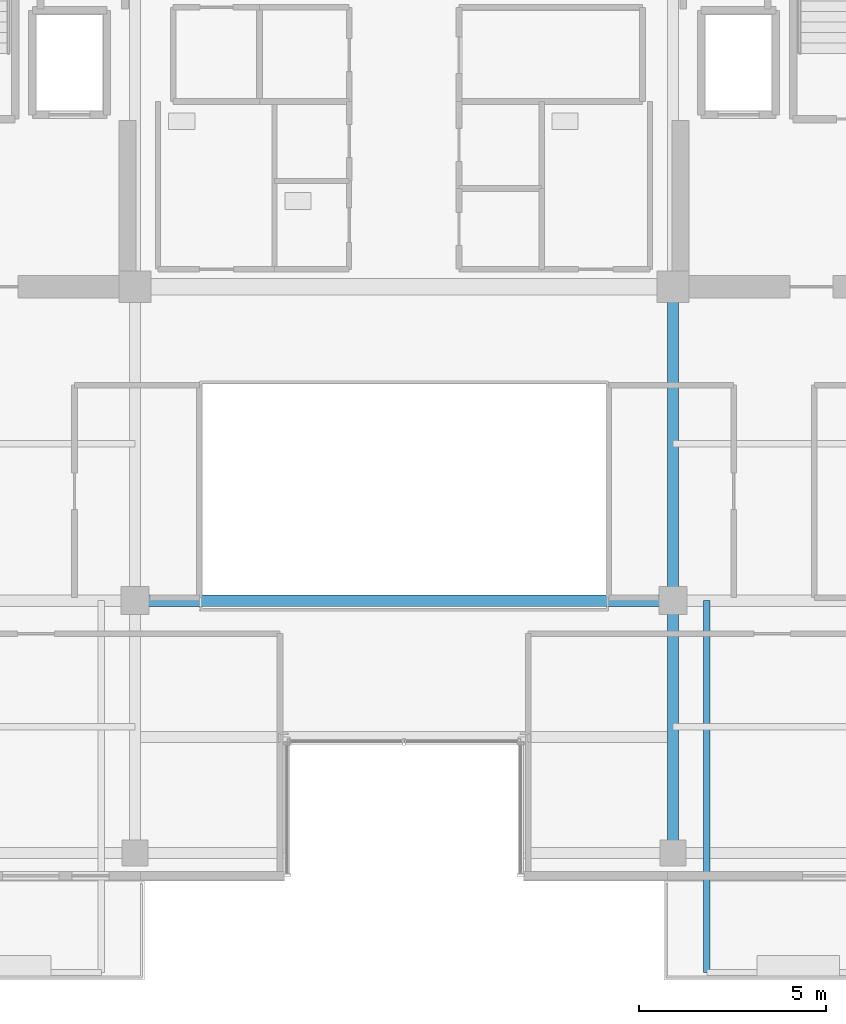
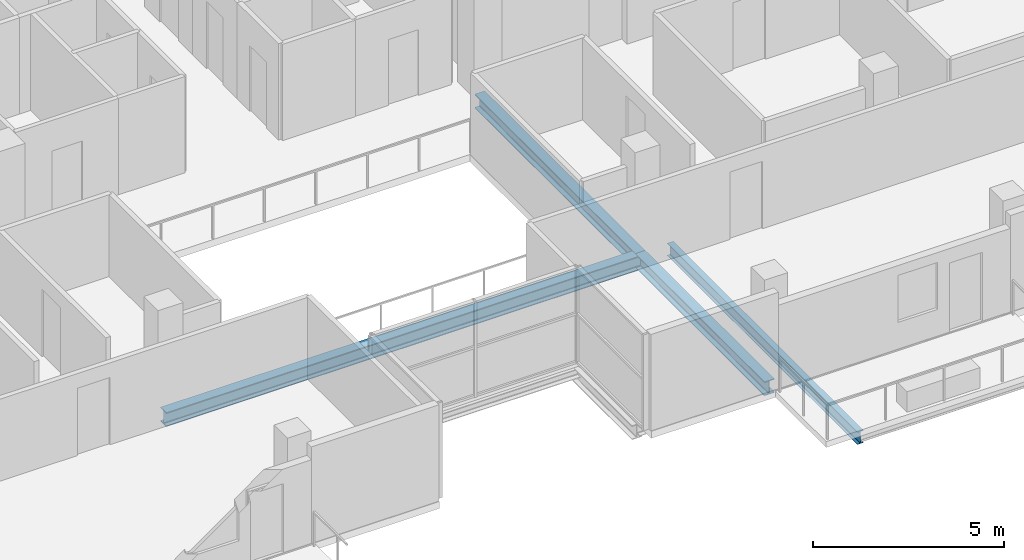
# One storey, part 4 of 21: 4 beams.
"""IFC4 building model written with IfcOpenShell, lengths in metres."""

from ifc_helpers import new_model, si_unit, direction, frame, origin, origin_2d, place, context, subcontext, project, spatial, i_section, extrude, material, material_profile, profile_set, type_object, element, save


model = new_model("IFC4")

# Units and contexts
model_context = context("Model", 3, precision=1e-05, world=origin(), true_north=direction((0.0, 1.0)))
body_context = subcontext(model_context, "Body", "Model", "MODEL_VIEW")
ifc_project = project(units=[si_unit("LENGTHUNIT", "METRE"), si_unit("AREAUNIT", "SQUARE_METRE"), si_unit("VOLUMEUNIT", "CUBIC_METRE"), si_unit("PLANEANGLEUNIT", "RADIAN"), si_unit("MASSUNIT", "GRAM", prefix="KILO")], contexts=[model_context])

# Site, building, storey
site_placement = place(None, origin())
site = spatial("IfcSite", under=ifc_project, at=site_placement, CompositionType="ELEMENT")
building_placement = place(site_placement, origin())
building = spatial("IfcBuilding", under=site, at=building_placement, Name="Zarnakvel Exchange Tower", CompositionType="ELEMENT")
storey_placement = place(building_placement, frame((0.0, 0.0, 241.89990234375)))
storey = spatial("IfcBuildingStorey", under=building, at=storey_placement, Name="L68", CompositionType="ELEMENT", Elevation=241.89990234375)

# Beams
ifc_material = material(Name="Steel S355", Category="steel")
ifc_material_profile_1 = material_profile(ifc_material, i_section(OverallWidth=0.179931640625, OverallDepth=0.39990234375, WebThickness=0.008544921875, FlangeThickness=0.013427734375, FilletRadius=0.02099609375, at=origin_2d()))
ifc_profile_set_1 = profile_set([ifc_material_profile_1], Name="Steel S355")
beam_type_1 = type_object("IfcBeamType", Name="B-06", PredefinedType="JOIST", material=ifc_profile_set_1)
beam_1_placement = place(storey_placement, frame((8.10009765625, -9.60009765625, -0.4248046875), z_axis=(0.0, -1.0, 0.0), x_axis=(1.0, 0.0, 0.0)))
element("IfcBeam", 1, at=beam_1_placement, inside=storey, type_object=beam_type_1, Name="L68 Continuous Back-Spanned Balcony Beam W", PredefinedType="JOIST", context=body_context, shape_type="SweptSolid", body=[
    extrude(i_section(OverallWidth=0.179931640625, OverallDepth=0.39990234375, WebThickness=0.008544921875, FlangeThickness=0.013427734375, FilletRadius=0.02099609375, at=origin_2d()), origin(), (0.0, 0.0, 1.0), 9.949951171875),
])
ifc_material_profile_2 = material_profile(ifc_material, i_section(OverallWidth=0.300048828125, OverallDepth=0.449951171875, WebThickness=0.013916015625, FlangeThickness=0.02587890625, FilletRadius=0.027099609375, at=origin_2d()))
ifc_profile_set_2 = profile_set([ifc_material_profile_2], Name="Steel S355")
beam_type_2 = type_object("IfcBeamType", Name="G-07", PredefinedType="BEAM", material=ifc_profile_set_2)
beam_2_placement = place(storey_placement, frame((-7.199951171875, -9.60009765625, -0.449951171875), z_axis=(1.0, 0.0, 0.0), x_axis=(0.0, 1.0, 0.0)))
element("IfcBeam", 2, at=beam_2_placement, inside=storey, type_object=beam_type_2, Name="L68 Tower E-W Frame Beam", PredefinedType="BEAM", context=body_context, shape_type="SweptSolid", body=[
    extrude(i_section(OverallWidth=0.300048828125, OverallDepth=0.449951171875, WebThickness=0.013916015625, FlangeThickness=0.02587890625, FilletRadius=0.027099609375, at=origin_2d()), origin(), (0.0, 0.0, 1.0), 14.39990234375),
])
beam_3_placement = place(storey_placement, frame((7.199951171875, -16.35009765625, -0.449951171875), z_axis=(0.0, 1.0, 0.0), x_axis=(-1.0, 0.0, 0.0)))
element("IfcBeam", 3, at=beam_3_placement, inside=storey, type_object=beam_type_2, Name="L68 Tower N-S Frame Beam", PredefinedType="BEAM", context=body_context, shape_type="SweptSolid", body=[
    extrude(i_section(OverallWidth=0.300048828125, OverallDepth=0.449951171875, WebThickness=0.013916015625, FlangeThickness=0.02587890625, FilletRadius=0.027099609375, at=origin_2d()), origin(), (0.0, 0.0, 1.0), 6.75),
])
beam_4_placement = place(storey_placement, frame((7.199951171875, -9.60009765625, -0.449951171875), z_axis=(0.0, 1.0, 0.0), x_axis=(-1.0, 0.0, 0.0)))
element("IfcBeam", 4, at=beam_4_placement, inside=storey, type_object=beam_type_2, Name="L68 Tower N-S Frame Beam", PredefinedType="BEAM", context=body_context, shape_type="SweptSolid", body=[
    extrude(i_section(OverallWidth=0.300048828125, OverallDepth=0.449951171875, WebThickness=0.013916015625, FlangeThickness=0.02587890625, FilletRadius=0.027099609375, at=origin_2d()), origin(), (0.0, 0.0, 1.0), 8.400146484375),
])

save(model, "model.ifc")
